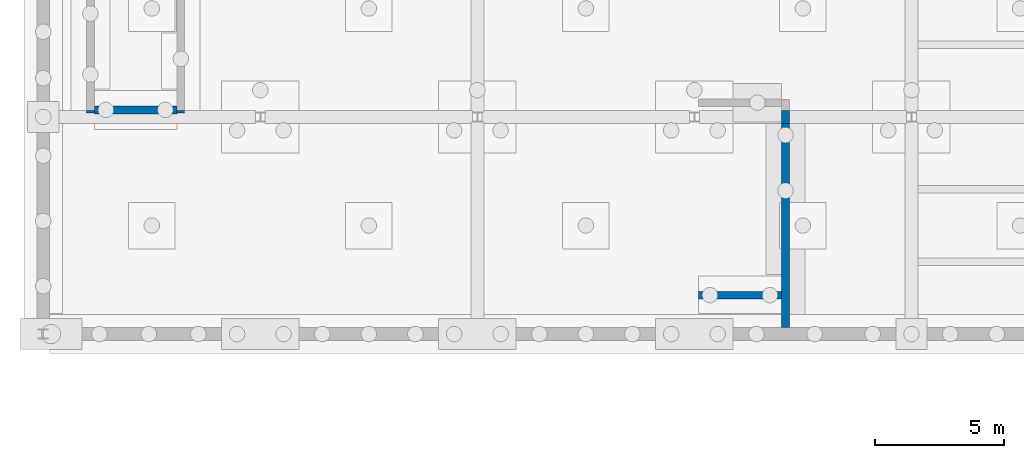
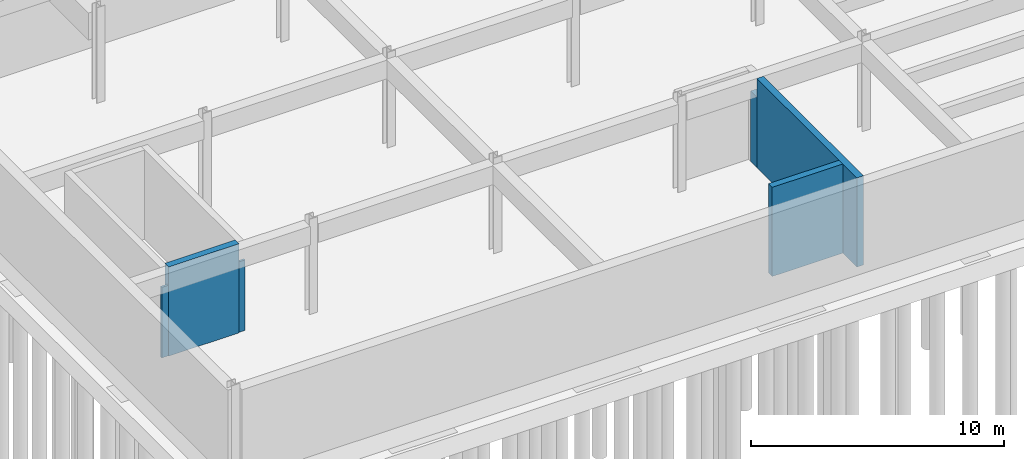
# One storey, part 20 of 33: 6 walls.
"""IFC4 building model written with IfcOpenShell, lengths in metres."""

from ifc_helpers import new_model, si_unit, direction, frame, frame_2d, origin, place, context, subcontext, project, spatial, rectangle, extrude, material, layer, layer_set, type_object, element, save


model = new_model("IFC4")

# Units and contexts
model_context = context("Model", 3, precision=1e-05, world=origin(), true_north=direction((0.0, 1.0)))
body_context = subcontext(model_context, "Body", "Model", "MODEL_VIEW")
ifc_project = project(units=[si_unit("LENGTHUNIT", "METRE"), si_unit("AREAUNIT", "SQUARE_METRE"), si_unit("VOLUMEUNIT", "CUBIC_METRE"), si_unit("PLANEANGLEUNIT", "RADIAN"), si_unit("MASSUNIT", "GRAM", prefix="KILO")], contexts=[model_context])

# Site, building, storey
site_placement = place(None, origin())
site = spatial("IfcSite", under=ifc_project, at=site_placement, CompositionType="ELEMENT")
building_placement = place(site_placement, origin())
building = spatial("IfcBuilding", under=site, at=building_placement, Name="Ljudholm Concert House", CompositionType="ELEMENT")
storey_placement = place(building_placement, frame((0.0, 0.0, -4.60009765625)))
storey = spatial("IfcBuildingStorey", under=building, at=storey_placement, Name="B1", CompositionType="ELEMENT", Elevation=-4.60009765625)

# Walls
ifc_material = material(Name="Concrete 6,500 psi", Category="concrete")
ifc_layer = layer(ifc_material, 0.300048828125)
ifc_layer_set = layer_set([ifc_layer], Name="Concrete 6,500 psi")
wall_type = type_object("IfcWallType", Name="RC WALL 300", PredefinedType="SOLIDWALL", material=ifc_layer_set)
wall_1_placement = place(storey_placement, frame((32.72509765625, 105.050048828125, 0.0), z_axis=(0.0, 0.0, 1.0), x_axis=(0.0, 1.0, 0.0)))
element("IfcWall", 1, at=wall_1_placement, inside=storey, type_object=wall_type, Name="Shaft support wall", PredefinedType="SOLIDWALL", context=body_context, shape_type="SweptSolid", body=[
    extrude(rectangle(XDim=7.89990234375, YDim=0.300048828125, at=frame_2d((3.949951171875, 0.0))), origin(), (0.0, 0.0, 1.0), 4.300048828125),
])
wall_2_placement = place(storey_placement, frame((32.72509765625, 112.949951171875, 0.0), z_axis=(0.0, 0.0, 1.0), x_axis=(0.0, 1.0, 0.0)))
element("IfcWall", 2, at=wall_2_placement, inside=storey, type_object=wall_type, Name="Shaft support wall", PredefinedType="SOLIDWALL", context=body_context, shape_type="SweptSolid", body=[
    extrude(rectangle(XDim=0.5, YDim=0.300048828125, at=frame_2d((0.25, 0.0))), origin(), (0.0, 0.0, 1.0), 3.400146484375),
])
wall_3_placement = place(storey_placement, frame((29.35009765625, 106.304931640625, 0.0), z_axis=(0.0, 0.0, 1.0), x_axis=(1.0, 0.0, 0.0)))
element("IfcWall", 3, at=wall_3_placement, inside=storey, type_object=wall_type, Name="Shaft support wall", PredefinedType="SOLIDWALL", context=body_context, shape_type="SweptSolid", body=[
    extrude(rectangle(XDim=3.224853515625, YDim=0.300048828125, at=frame_2d((1.6123046875, 0.0))), origin(), (0.0, 0.0, 1.0), 4.300048828125),
])
wall_4_placement = place(storey_placement, frame((9.324951171875, 113.35009765625, 0.0), z_axis=(0.0, 0.0, 1.0), x_axis=(0.0, 1.0, 0.0)))
element("IfcWall", 4, at=wall_4_placement, inside=storey, type_object=wall_type, Name="Shaft support wall", PredefinedType="SOLIDWALL", context=body_context, shape_type="SweptSolid", body=[
    extrude(rectangle(XDim=0.099853515625, YDim=0.300048828125, at=frame_2d((0.0498046875, 0.0))), origin(), (0.0, 0.0, 1.0), 3.400146484375),
])
wall_5_placement = place(storey_placement, frame((5.97509765625, 113.47509765625, 0.0), z_axis=(0.0, 0.0, 1.0), x_axis=(1.0, 0.0, 0.0)))
element("IfcWall", 5, at=wall_5_placement, inside=storey, type_object=wall_type, Name="Shaft support wall", PredefinedType="SOLIDWALL", context=body_context, shape_type="SweptSolid", body=[
    extrude(rectangle(XDim=3.199951171875, YDim=0.300048828125, at=frame_2d((1.60009765625, 0.0))), origin(), (0.0, 0.0, 1.0), 4.300048828125),
])
wall_6_placement = place(storey_placement, frame((5.824951171875, 113.35009765625, 0.0), z_axis=(0.0, 0.0, 1.0), x_axis=(0.0, 1.0, 0.0)))
element("IfcWall", 6, at=wall_6_placement, inside=storey, type_object=wall_type, Name="Shaft support wall", PredefinedType="SOLIDWALL", context=body_context, shape_type="SweptSolid", body=[
    extrude(rectangle(XDim=0.099853515625, YDim=0.300048828125, at=frame_2d((0.0498046875, 0.0))), origin(), (0.0, 0.0, 1.0), 3.400146484375),
])

save(model, "model.ifc")
